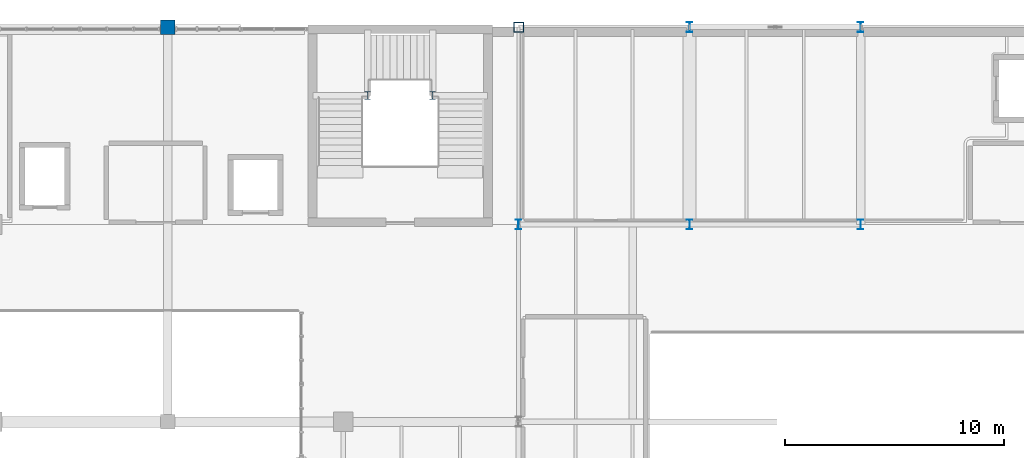
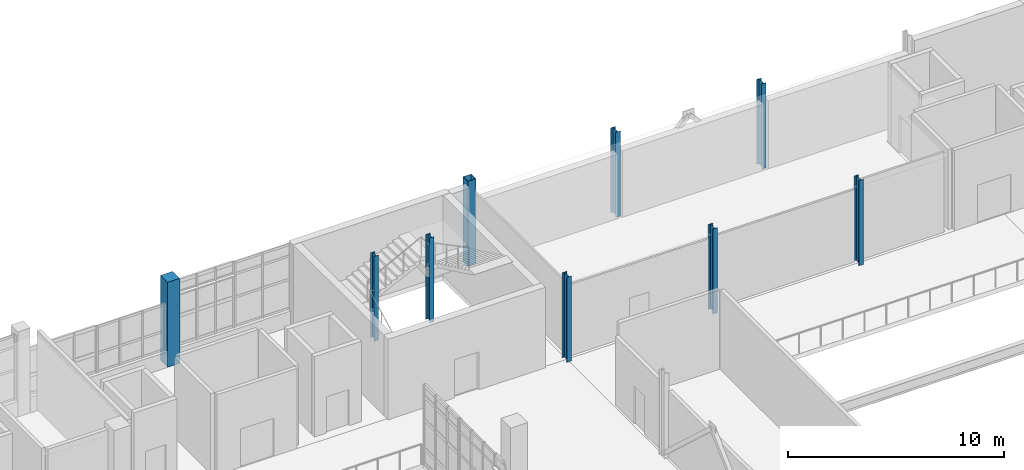
# One storey, part 9 of 102: 9 columns.
"""IFC4 building model written with IfcOpenShell, lengths in metres."""

from ifc_helpers import new_model, si_unit, derived_unit, direction, frame, origin, origin_2d, place, context, subcontext, project, spatial, rectangle, hollow_rectangle, i_section, extrude, material, material_profile, profile_set, type_object, element, save


model = new_model("IFC4")

# Units and contexts
model_context = context("Model", 3, precision=1e-05, world=origin(), true_north=direction((0.0, 1.0)))
body_context = subcontext(model_context, "Body", "Model", "MODEL_VIEW")
ifc_project = project(units=[si_unit("LENGTHUNIT", "METRE"), si_unit("AREAUNIT", "SQUARE_METRE"), si_unit("VOLUMEUNIT", "CUBIC_METRE"), si_unit("PLANEANGLEUNIT", "RADIAN"), si_unit("MASSUNIT", "GRAM", prefix="KILO"), derived_unit("THERMALTRANSMITTANCEUNIT", [(si_unit("POWERUNIT", "WATT"), 1), (si_unit("LENGTHUNIT", "METRE"), -2), (si_unit("THERMODYNAMICTEMPERATUREUNIT", "KELVIN"), -1)])], contexts=[model_context])

# Site, building, storey
site_placement = place(None, origin())
site = spatial("IfcSite", under=ifc_project, at=site_placement, CompositionType="ELEMENT")
building_placement = place(site_placement, origin())
building = spatial("IfcBuilding", under=site, at=building_placement, Name="Nallur Shell Playhouse", CompositionType="ELEMENT")
storey_placement = place(building_placement, frame((0.0, 0.0, 15.0)))
storey = spatial("IfcBuildingStorey", under=building, at=storey_placement, Name="L04", CompositionType="ELEMENT", Elevation=15.0)

# Columns
ifc_material_1 = material(Name="Concrete M35", Category="concrete")
ifc_material_profile_1 = material_profile(ifc_material_1, rectangle(XDim=0.64990234375, YDim=0.64990234375, at=origin_2d()), Name="RC 650x650")
ifc_profile_set_1 = profile_set([ifc_material_profile_1], Name="Concrete M35")
column_type_1 = type_object("IfcColumnType", Name="CL-RC-650", PredefinedType="COLUMN", material=ifc_profile_set_1)
column_1_placement = place(storey_placement, frame((48.0, 83.0, 0.0), z_axis=(0.0, 0.0, 1.0), x_axis=(1.0, 0.0, 0.0)))
element("IfcColumn", 1, at=column_1_placement, inside=storey, type_object=column_type_1, Name="Column 6-K (L04)", PredefinedType="COLUMN", context=body_context, shape_type="SweptSolid", body=[
    extrude(rectangle(XDim=0.64990234375, YDim=0.64990234375, at=origin_2d()), origin(), (0.0, 0.0, 1.0), 4.800048828125),
])
ifc_material_2 = material(Name="Steel E350", Category="steel")
ifc_material_profile_2 = material_profile(ifc_material_2, hollow_rectangle(XDim=0.449951171875, YDim=0.449951171875, WallThickness=0.02001953125, at=origin_2d()), Name="BOX 450x450x20")
ifc_profile_set_2 = profile_set([ifc_material_profile_2], Name="Steel E350")
column_type_2 = type_object("IfcColumnType", Name="CL-ST-BOX450", PredefinedType="COLUMN", material=ifc_profile_set_2)
column_2_placement = place(storey_placement, frame((64.0, 83.0, 0.0), z_axis=(0.0, 0.0, 1.0), x_axis=(1.0, 0.0, 0.0)))
element("IfcColumn", 2, at=column_2_placement, inside=storey, type_object=column_type_2, Name="Column 8-K (L04)", PredefinedType="COLUMN", context=body_context, shape_type="SweptSolid", body=[
    extrude(hollow_rectangle(XDim=0.449951171875, YDim=0.449951171875, WallThickness=0.02001953125, at=origin_2d()), origin(), (0.0, 0.0, 1.0), 4.800048828125),
])
ifc_material_profile_3 = material_profile(ifc_material_2, i_section(OverallWidth=0.25, OverallDepth=0.35009765625, WebThickness=0.010009765625, FlangeThickness=0.01171875, FilletRadius=0.011962890625, at=origin_2d()), Name="ISHB 350")
ifc_profile_set_3 = profile_set([ifc_material_profile_3], Name="Steel E350")
column_type_3 = type_object("IfcColumnType", Name="CL-ST-ISHB350", PredefinedType="COLUMN", material=ifc_profile_set_3)
for number, where, z_axis, x_axis, name in (
    (3, (57.1201171875, 79.8798828125, 0.0), (0.0, 0.0, 1.0), (1.0, 0.0, 0.0), "Column STW-JC-3-W (L04)"),
    (4, (60.080078125, 79.8798828125, 0.0), (0.0, 0.0, 1.0), (1.0, 0.0, 0.0), "Column STW-JC-3-E (L04)"),
):
    element("IfcColumn", number, at=place(storey_placement, frame(where, z_axis=z_axis, x_axis=x_axis)), inside=storey, type_object=column_type_3, Name=name, PredefinedType="COLUMN", context=body_context, shape_type="SweptSolid", body=[
        extrude(i_section(OverallWidth=0.25, OverallDepth=0.35009765625, WebThickness=0.010009765625, FlangeThickness=0.01171875, FilletRadius=0.011962890625, at=origin_2d()), origin(), (0.0, 0.0, 1.0), 4.800048828125),
    ])
ifc_material_profile_4 = material_profile(ifc_material_2, i_section(OverallWidth=0.25, OverallDepth=0.449951171875, WebThickness=0.01123046875, FlangeThickness=0.013671875, FilletRadius=0.014892578125, at=origin_2d()), Name="ISHB 450")
ifc_profile_set_4 = profile_set([ifc_material_profile_4], Name="Steel E350")
column_type_4 = type_object("IfcColumnType", Name="CL-ST-ISHB450", PredefinedType="COLUMN", material=ifc_profile_set_4)
for number, where, z_axis, x_axis, name in (
    (5, (64.0, 74.0, 0.0), (0.0, 0.0, 1.0), (1.0, 0.0, 0.0), "Column 8-J (L04)"),
    (6, (71.800048828125, 74.0, 0.0), (0.0, 0.0, 1.0), (1.0, 0.0, 0.0), "Column 9-J (L04)"),
    (7, (71.800048828125, 83.0, 0.0), (0.0, 0.0, 1.0), (1.0, 0.0, 0.0), "Column 9-K (L04)"),
    (8, (79.60009765625, 74.0, 0.0), (0.0, 0.0, 1.0), (1.0, 0.0, 0.0), "Column 10-J (L04)"),
    (9, (79.60009765625, 83.0, 0.0), (0.0, 0.0, 1.0), (1.0, 0.0, 0.0), "Column 10-K (L04)"),
):
    element("IfcColumn", number, at=place(storey_placement, frame(where, z_axis=z_axis, x_axis=x_axis)), inside=storey, type_object=column_type_4, Name=name, PredefinedType="COLUMN", context=body_context, shape_type="SweptSolid", body=[
        extrude(i_section(OverallWidth=0.25, OverallDepth=0.449951171875, WebThickness=0.01123046875, FlangeThickness=0.013671875, FilletRadius=0.014892578125, at=origin_2d()), origin(), (0.0, 0.0, 1.0), 4.800048828125),
    ])

save(model, "model.ifc")
